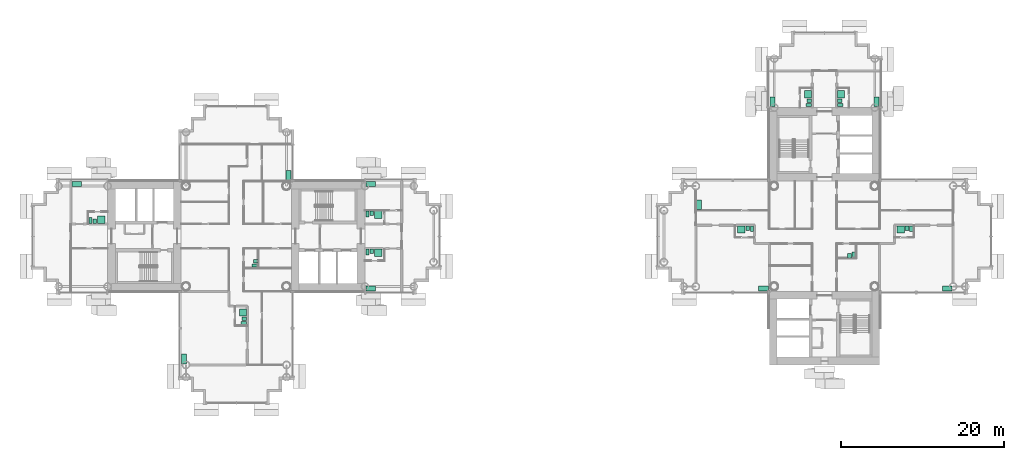
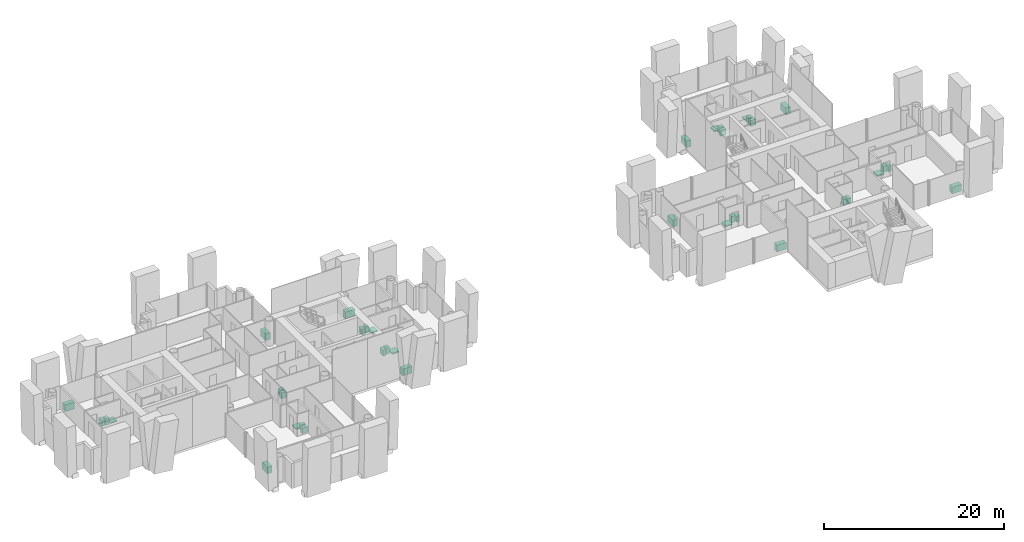
# One storey, part 20 of 20: 38 sanitary terminals.
"""IFC4 building model written with IfcOpenShell, lengths in metres."""

from ifc_helpers import new_model, si_unit, direction, frame, origin, origin_2d, place, context, subcontext, project, spatial, rectangle, extrude, material, type_object, element, save


model = new_model("IFC4")

# Units and contexts
model_context = context("Model", 3, precision=1e-05, world=origin(), true_north=direction((0.0, 1.0)))
body_context = subcontext(model_context, "Body", "Model", "MODEL_VIEW")
ifc_project = project(units=[si_unit("LENGTHUNIT", "METRE"), si_unit("AREAUNIT", "SQUARE_METRE"), si_unit("VOLUMEUNIT", "CUBIC_METRE"), si_unit("PLANEANGLEUNIT", "RADIAN"), si_unit("MASSUNIT", "GRAM", prefix="KILO")], contexts=[model_context])

# Site, building, storey
site_placement = place(None, origin())
site = spatial("IfcSite", under=ifc_project, at=site_placement, CompositionType="ELEMENT")
building_placement = place(site_placement, origin())
building = spatial("IfcBuilding", under=site, at=building_placement, Name="Ipe Terrace Towers", CompositionType="ELEMENT")
storey_placement = place(building_placement, frame((0.0, 0.0, 100.39990234375)))
storey = spatial("IfcBuildingStorey", under=building, at=storey_placement, Name="L27", CompositionType="ELEMENT", Elevation=100.39990234375)

# Sanitary terminals
ifc_material_1 = material(Name="Stainless sink unit", Category="metal")
sanitary_terminal_type_1 = type_object("IfcSanitaryTerminalType", Name="Kitchen sink unit", PredefinedType="SINK", material=ifc_material_1)
for number, where, z_axis, x_axis, name in (
    (1, (-29.6201171875, 7.469970703125, 0.000244140625), (0.0, 0.0, 1.0), (0.0, -1.0, 0.0), "Kitchen sink unit"),
    (2, (-42.3798828125, -15.030029296875, 0.000244140625), (0.0, 0.0, 1.0), (0.0, 1.0, 0.0), "Kitchen sink unit"),
    (3, (-19.530029296875, 6.3798828125, 0.000244140625), (0.0, 0.0, 1.0), (1.0, 0.0, 0.0), "Kitchen sink unit"),
    (4, (-19.530029296875, -6.3798828125, 0.000244140625), (0.0, 0.0, 1.0), (-1.0, 0.0, 0.0), "Kitchen sink unit"),
    (5, (-55.530029296875, 6.3798828125, 0.000244140625), (0.0, 0.0, 1.0), (1.0, 0.0, 0.0), "Kitchen sink unit"),
    (6, (28.530029296875, -6.3798828125, 0.000244140625), (0.0, 0.0, 1.0), (-1.0, 0.0, 0.0), "Kitchen sink unit"),
    (7, (20.6201171875, 3.8701171875, 0.000244140625), (0.0, 0.0, 1.0), (0.0, 1.0, 0.0), "Kitchen sink unit"),
    (8, (51.030029296875, -6.3798828125, 0.000244140625), (0.0, 0.0, 1.0), (-1.0, 0.0, 0.0), "Kitchen sink unit"),
    (9, (29.6201171875, 16.469970703125, 0.000244140625), (0.0, 0.0, 1.0), (0.0, 1.0, 0.0), "Kitchen sink unit"),
    (10, (42.3798828125, 16.469970703125, 0.000244140625), (0.0, 0.0, 1.0), (0.0, -1.0, 0.0), "Kitchen sink unit"),
):
    element("IfcSanitaryTerminal", number, at=place(storey_placement, frame(where, z_axis=z_axis, x_axis=x_axis)), inside=storey, type_object=sanitary_terminal_type_1, Name=name, PredefinedType="SINK", context=body_context, shape_type="SweptSolid", body=[
        extrude(rectangle(XDim=1.199951171875, YDim=0.60009765625, at=origin_2d()), origin(), (0.0, 0.0, 1.0), 0.89990234375),
    ])
ifc_material_2 = material(Name="Acrylic", Category="plastic")
sanitary_terminal_type_2 = type_object("IfcSanitaryTerminalType", Name="Shower tray", PredefinedType="SHOWER", material=ifc_material_2)
for number, where, z_axis, x_axis, name in (
    (11, (-35.169921875, -9.330078125, 0.000244140625), (0.0, 0.0, 1.0), (-1.0, 0.0, 0.0), "Shower tray"),
    (12, (-18.6298828125, 2.6298828125, 0.000244140625), (0.0, 0.0, 1.0), (0.0, -1.0, 0.0), "Shower tray"),
    (13, (-18.6298828125, -2.02001953125, 0.000244140625), (0.0, 0.0, 1.0), (0.0, -1.0, 0.0), "Shower tray"),
    (14, (-52.530029296875, 2.02001953125, 0.000244140625), (0.0, 0.0, 1.0), (0.0, 1.0, 0.0), "Shower tray"),
    (15, (25.830078125, 0.830078125, 0.000244140625), (0.0, 0.0, 1.0), (0.0, -1.0, 0.0), "Shower tray"),
    (16, (45.330078125, 0.830078125, 0.000244140625), (0.0, 0.0, 1.0), (0.0, -1.0, 0.0), "Shower tray"),
    (17, (33.97998046875, 17.3701171875, 0.000244140625), (0.0, 0.0, 1.0), (-1.0, 0.0, 0.0), "Shower tray"),
    (18, (38.02001953125, 17.3701171875, 0.000244140625), (0.0, 0.0, 1.0), (1.0, 0.0, 0.0), "Shower tray"),
):
    element("IfcSanitaryTerminal", number, at=place(storey_placement, frame(where, z_axis=z_axis, x_axis=x_axis)), inside=storey, type_object=sanitary_terminal_type_2, Name=name, PredefinedType="SHOWER", context=body_context, shape_type="SweptSolid", body=[
        extrude(rectangle(XDim=0.89990234375, YDim=0.89990234375, at=origin_2d()), origin(), (0.0, 0.0, 1.0), 0.14990234375),
    ])
ifc_material_3 = material(Name="Vitreous china", Category="ceramic")
sanitary_terminal_type_3 = type_object("IfcSanitaryTerminalType", Name="Wash basin", PredefinedType="WASHHANDBASIN", material=ifc_material_3)
for number, where, z_axis, x_axis, name in (
    (19, (-33.64501953125, -3.054931640625, 0.0), (0.0, 0.0, 1.0), (-1.0, 0.0, 0.0), "Wash basin"),
    (20, (-34.9951171875, -10.10498046875, 0.0), (0.0, 0.0, 1.0), (-1.0, 0.0, 0.0), "Wash basin"),
    (21, (-19.405029296875, 2.804931640625, 0.0), (0.0, 0.0, 1.0), (0.0, -1.0, 0.0), "Wash basin"),
    (22, (-19.405029296875, -1.844970703125, 0.0), (0.0, 0.0, 1.0), (0.0, -1.0, 0.0), "Wash basin"),
    (23, (-53.304931640625, 1.844970703125, 0.0), (0.0, 0.0, 1.0), (0.0, 1.0, 0.0), "Wash basin"),
    (24, (39.054931640625, -2.35498046875, 0.0), (0.0, 0.0, 1.0), (0.0, 1.0, 0.0), "Wash basin"),
    (25, (26.60498046875, 1.0048828125, 0.0), (0.0, 0.0, 1.0), (0.0, -1.0, 0.0), "Wash basin"),
    (26, (46.10498046875, 1.0048828125, 0.0), (0.0, 0.0, 1.0), (0.0, -1.0, 0.0), "Wash basin"),
    (27, (34.155029296875, 16.594970703125, 0.0), (0.0, 0.0, 1.0), (-1.0, 0.0, 0.0), "Wash basin"),
    (28, (37.844970703125, 16.594970703125, 0.0), (0.0, 0.0, 1.0), (1.0, 0.0, 0.0), "Wash basin"),
):
    element("IfcSanitaryTerminal", number, at=place(storey_placement, frame(where, z_axis=z_axis, x_axis=x_axis)), inside=storey, type_object=sanitary_terminal_type_3, Name=name, PredefinedType="WASHHANDBASIN", context=body_context, shape_type="SweptSolid", body=[
        extrude(rectangle(XDim=0.550048828125, YDim=0.449951171875, at=origin_2d()), origin(), (0.0, 0.0, 1.0), 0.85009765625),
    ])
ifc_material_4 = material(Name="Vitreous china", Category="ceramic")
sanitary_terminal_type_4 = type_object("IfcSanitaryTerminalType", Name="Water closet", PredefinedType="TOILETPAN", material=ifc_material_4)
for number, where, z_axis, x_axis, name in (
    (29, (-33.719970703125, -3.580078125, 0.0), (0.0, 0.0, 1.0), (-1.0, 0.0, 0.0), "Water closet"),
    (30, (-35.070068359375, -10.6298828125, 0.0), (0.0, 0.0, 1.0), (-1.0, 0.0, 0.0), "Water closet"),
    (31, (-19.929931640625, 2.72998046875, 0.0), (0.0, 0.0, 1.0), (0.0, -1.0, 0.0), "Water closet"),
    (32, (-19.929931640625, -1.919921875, 0.0), (0.0, 0.0, 1.0), (0.0, -1.0, 0.0), "Water closet"),
    (33, (-53.830078125, 1.919921875, 0.0), (0.0, 0.0, 1.0), (0.0, 1.0, 0.0), "Water closet"),
    (34, (39.580078125, -2.280029296875, 0.0), (0.0, 0.0, 1.0), (0.0, 1.0, 0.0), "Water closet"),
    (35, (27.1298828125, 0.929931640625, 0.0), (0.0, 0.0, 1.0), (0.0, -1.0, 0.0), "Water closet"),
    (36, (46.6298828125, 0.929931640625, 0.0), (0.0, 0.0, 1.0), (0.0, -1.0, 0.0), "Water closet"),
    (37, (34.080078125, 16.070068359375, 0.0), (0.0, 0.0, 1.0), (-1.0, 0.0, 0.0), "Water closet"),
    (38, (37.919921875, 16.070068359375, 0.0), (0.0, 0.0, 1.0), (1.0, 0.0, 0.0), "Water closet"),
):
    element("IfcSanitaryTerminal", number, at=place(storey_placement, frame(where, z_axis=z_axis, x_axis=x_axis)), inside=storey, type_object=sanitary_terminal_type_4, Name=name, PredefinedType="TOILETPAN", context=body_context, shape_type="SweptSolid", body=[
        extrude(rectangle(XDim=0.699951171875, YDim=0.39990234375, at=origin_2d()), origin(), (0.0, 0.0, 1.0), 0.780029296875),
    ])

save(model, "model.ifc")
